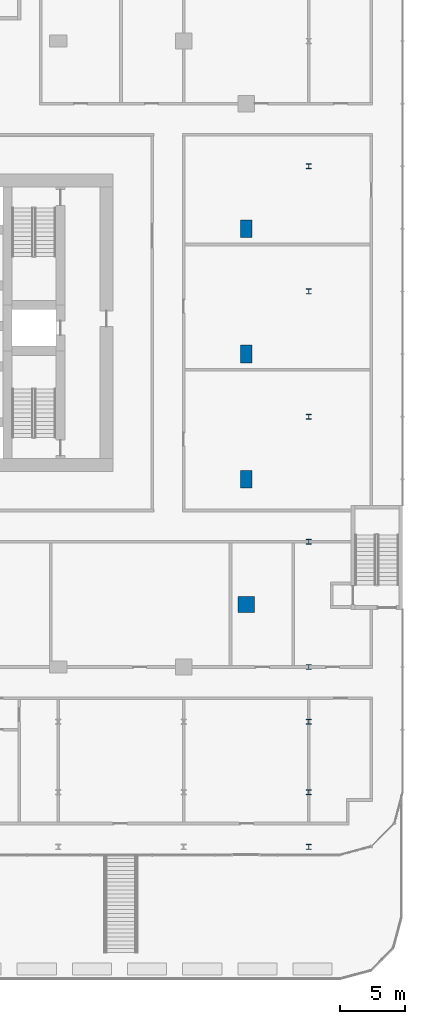
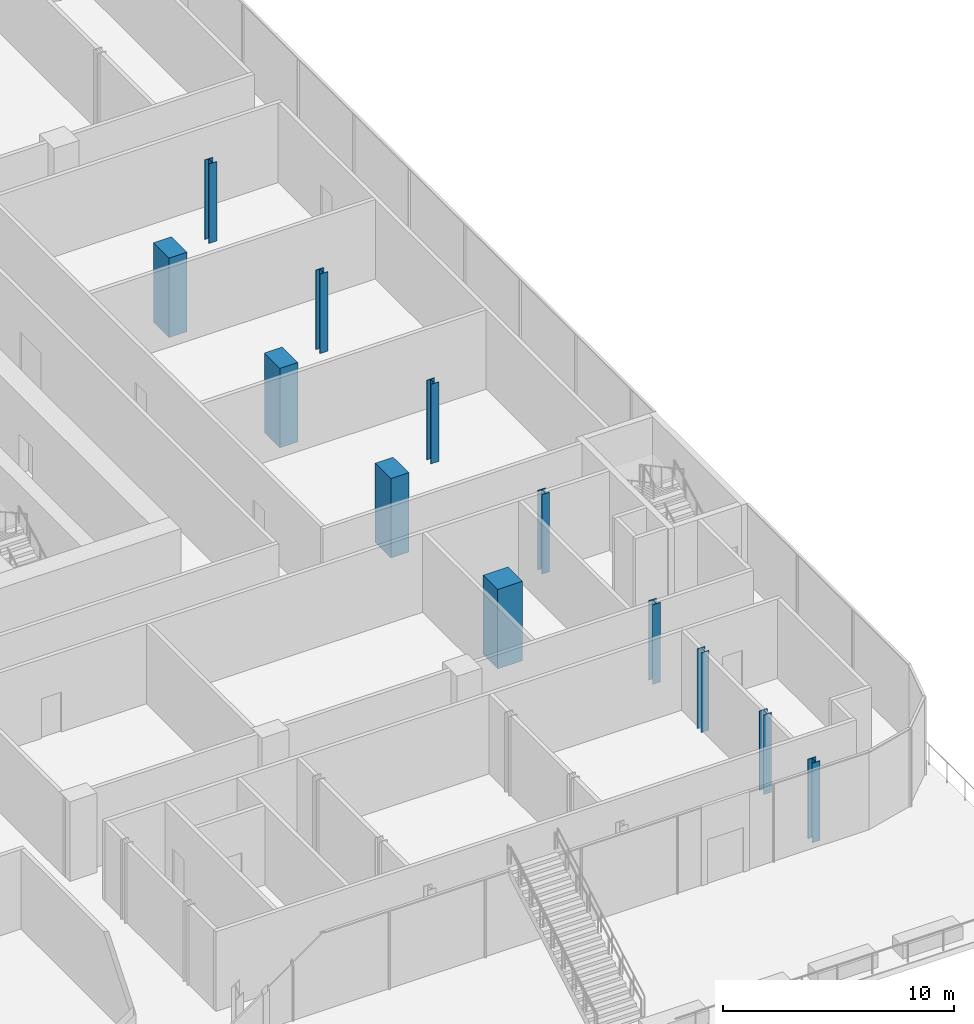
# One storey, part 3 of 38: 12 columns.
"""IFC4 building model written with IfcOpenShell, lengths in metres."""

import ifcopenshell
import ifcopenshell.guid

model = None  # the IFC model being written
_history = None  # IfcOwnerHistory: only IFC2X3 demands one
_inside = {}  # id of a spatial element -> (the spatial element, [elements in it])
_under = {}  # id of a project, library or spatial element -> (it, [spatial elements below it])
_declared = {}  # id of a project -> (the project, [libraries it declares])
_typed = {}  # id of a type object -> (the type object, [elements of that type])
_made_of = {}  # id of a material, layer set ... -> (it, [elements and type objects made of it])


def new_model(schema):
    """Start an empty IFC model of exactly this schema.

    Asked for "IFC4X3", IfcOpenShell would pick the latest addendum, in which some entities
    have other attributes; the version numbers below select the first issue.
    IFC2X3 requires an IfcOwnerHistory on every rooted entity: one is made here for all.
    """
    global model, _history
    if schema == "IFC4X3":
        model = ifcopenshell.file(schema_version=(4, 3, 0, 0))
    else:
        model = ifcopenshell.file(schema=schema)
    _inside.clear()
    _under.clear()
    _declared.clear()
    _typed.clear()
    _made_of.clear()
    _history = None
    if model.schema == "IFC2X3":
        org = make("IfcOrganization", Name="unknown")
        user = make(
            "IfcPersonAndOrganization",
            ThePerson=make("IfcPerson", FamilyName="unknown"),
            TheOrganization=org,
        )
        app = make(
            "IfcApplication",
            ApplicationDeveloper=org,
            Version="unknown",
            ApplicationFullName="unknown",
            ApplicationIdentifier="unknown",
        )
        _history = make(
            "IfcOwnerHistory",
            OwningUser=user,
            OwningApplication=app,
            ChangeAction="ADDED",
            CreationDate=0,
        )
    return model


def make(cls, **values):
    """One entity of the class cls with the attributes given. An attribute that is None is left unset."""
    return model.create_entity(
        cls, **{name: value for name, value in values.items() if value is not None}
    )


def rooted(cls, **values):
    """An entity with a GlobalId (a new one), such as an element, a storey or a relation."""
    return make(cls, GlobalId=ifcopenshell.guid.new(), OwnerHistory=_history, **values)


def si_unit(unit_type, name, prefix=None):
    """IfcSIUnit, for example si_unit("LENGTHUNIT", "METRE", prefix="MILLI")."""
    return make("IfcSIUnit", UnitType=unit_type, Prefix=prefix, Name=name)


def assignment(units):
    """IfcUnitAssignment: the units of a project."""
    return None if units is None else make("IfcUnitAssignment", Units=units)


def point(xyz):
    """IfcCartesianPoint."""
    return None if xyz is None else make("IfcCartesianPoint", Coordinates=xyz)


def direction(xyz):
    """IfcDirection."""
    return None if xyz is None else make("IfcDirection", DirectionRatios=xyz)


def frame(location, z_axis=None, x_axis=None):
    """IfcAxis2Placement3D, a coordinate frame: its origin and axes. An axis left out is left unset."""
    return make(
        "IfcAxis2Placement3D",
        Location=point(location),
        Axis=direction(z_axis),
        RefDirection=direction(x_axis),
    )


def frame_2d(location, x_axis=None):
    """IfcAxis2Placement2D, a coordinate frame in the plane: its origin and x axis."""
    return make(
        "IfcAxis2Placement2D", Location=point(location), RefDirection=direction(x_axis)
    )


def origin():
    """The frame at (0, 0, 0) with its axes left unset."""
    return frame((0.0, 0.0, 0.0))


def origin_2d():
    """The frame at (0, 0) in the plane with its x axis left unset."""
    return frame_2d((0.0, 0.0))


def place(relative_to, where):
    """IfcLocalPlacement: puts the frame where relative to a parent placement (None: the world)."""
    return make(
        "IfcLocalPlacement", PlacementRelTo=relative_to, RelativePlacement=where
    )


def context(
    kind, dimensions, precision=None, world=None, true_north=None, identifier=None
):
    """IfcGeometricRepresentationContext, for example the 3D "Model" context."""
    return make(
        "IfcGeometricRepresentationContext",
        ContextIdentifier=identifier,
        ContextType=kind,
        CoordinateSpaceDimension=dimensions,
        Precision=precision,
        WorldCoordinateSystem=world,
        TrueNorth=true_north,
    )


def subcontext(parent, identifier, kind, view, scale=None):
    """IfcGeometricRepresentationSubContext, for example "Body" below "Model"."""
    return make(
        "IfcGeometricRepresentationSubContext",
        ContextIdentifier=identifier,
        ContextType=kind,
        ParentContext=parent,
        TargetScale=scale,
        TargetView=view,
    )


def project(units=None, contexts=None):
    """IfcProject with its units and contexts."""
    return rooted(
        "IfcProject",
        Name="project",
        RepresentationContexts=contexts,
        UnitsInContext=assignment(units),
    )


def spatial(cls, under=None, at=None, **own):
    """A site, building, storey or space (cls), placed at a placement, below another one or the project."""
    s = rooted(cls, ObjectPlacement=at, **own)
    if under is not None:
        _under.setdefault(under.id(), (under, []))[1].append(s)
    return s


def profile(cls, at=None, kind="AREA", **sizes):
    """A parametric profile (cls). Its sizes go by their IFC names, for example OverallWidth=200.0."""
    return make(cls, ProfileType=kind, Position=at, **sizes)


def rectangle(**sizes):
    """IfcRectangleProfileDef."""
    return profile("IfcRectangleProfileDef", **sizes)


def i_section(**sizes):
    """IfcIShapeProfileDef."""
    return profile("IfcIShapeProfileDef", **sizes)


def extrude(swept, where, along, depth):
    """IfcExtrudedAreaSolid: the profile swept, set in the frame where, extruded along a direction by depth."""
    return make(
        "IfcExtrudedAreaSolid",
        SweptArea=swept,
        Position=where,
        ExtrudedDirection=direction(along),
        Depth=depth,
    )


def shape(context_of_items, identifier, shape_type, items):
    """IfcShapeRepresentation: the items that make up one representation, for example the "Body"."""
    return make(
        "IfcShapeRepresentation",
        ContextOfItems=context_of_items,
        RepresentationIdentifier=identifier,
        RepresentationType=shape_type,
        Items=items,
    )


def material(Name=None, Category=None):
    """IfcMaterial."""
    return make("IfcMaterial", Name=Name, Category=Category)


def material_profile(
    of_material, cross_section, Name=None, Category=None, Priority=None
):
    """IfcMaterialProfile: a cross section and its material."""
    return make(
        "IfcMaterialProfile",
        Name=Name,
        Material=of_material,
        Profile=cross_section,
        Priority=Priority,
        Category=Category,
    )


def profile_set(profiles, Name=None, composite=None):
    """IfcMaterialProfileSet."""
    return make(
        "IfcMaterialProfileSet",
        Name=Name,
        MaterialProfiles=profiles,
        CompositeProfile=composite,
    )


def made_of(thing, what):
    """Note that an element or type object is made of a material, layer set ...; save() writes the relation."""
    if what is not None:
        _made_of.setdefault(what.id(), (what, []))[1].append(thing)
    return thing


def type_object(cls, material=None, **own):
    """A type object (cls), such as IfcWallType, which elements share."""
    return made_of(rooted(cls, **own), material)


def element(
    cls,
    number,
    at=None,
    inside=None,
    cuts=None,
    type_object=None,
    material=None,
    context=None,
    identifier="Body",
    shape_type=None,
    held_by="IfcProductDefinitionShape",
    body=None,
    shapes=None,
    **own,
):
    """One element of the class cls, such as IfcWall. Its Tag is "e" and its number.

    at: its placement. inside: the storey or other place that contains it. cuts: it is an
    opening in that element (IfcRelVoidsElement). A single representation is given by context,
    identifier, shape_type and body (its items); several are given by shapes. held_by: the class
    of the entity that holds the representations. save() writes the other relations.
    """
    e = rooted(cls, Tag="e%d" % number, ObjectPlacement=at, **own)
    if body is not None:
        shapes = [shape(context, identifier, shape_type, body)]
    if shapes is not None:
        e.Representation = make(held_by, Representations=shapes)
    if inside is not None:
        _inside.setdefault(inside.id(), (inside, []))[1].append(e)
    if cuts is not None:
        rooted(
            "IfcRelVoidsElement", RelatingBuildingElement=cuts, RelatedOpeningElement=e
        )
    if type_object is not None:
        _typed.setdefault(type_object.id(), (type_object, []))[1].append(e)
    return made_of(e, material)


def aggregate(whole, parts):
    """IfcRelAggregates: a whole, such as a stair, and the parts it consists of."""
    return rooted("IfcRelAggregates", RelatingObject=whole, RelatedObjects=parts)


def save(model, path):
    """Write the relations noted so far, then the file.

    IfcRelAggregates (storeys below a building ...), IfcRelContainedInSpatialStructure (elements
    in a storey), IfcRelDefinesByType, IfcRelAssociatesMaterial and IfcRelDeclares: one each for
    every whole, place, type object, material and project.
    """
    for whole, parts in _under.values():
        aggregate(whole, parts)
    for where, things in _inside.values():
        rooted(
            "IfcRelContainedInSpatialStructure",
            RelatedElements=things,
            RelatingStructure=where,
        )
    for kind, things in _typed.values():
        rooted("IfcRelDefinesByType", RelatedObjects=things, RelatingType=kind)
    for what, things in _made_of.values():
        rooted("IfcRelAssociatesMaterial", RelatedObjects=things, RelatingMaterial=what)
    for by, libraries in _declared.values():
        rooted("IfcRelDeclares", RelatingContext=by, RelatedDefinitions=libraries)
    model.write(path)


model = new_model("IFC4")

# Units and contexts
model_context = context("Model", 3, precision=1e-05, world=origin(), true_north=direction((0.0, 1.0)))
body_context = subcontext(model_context, "Body", "Model", "MODEL_VIEW")
ifc_project = project(units=[si_unit("LENGTHUNIT", "METRE"), si_unit("AREAUNIT", "SQUARE_METRE"), si_unit("VOLUMEUNIT", "CUBIC_METRE"), si_unit("PLANEANGLEUNIT", "RADIAN"), si_unit("MASSUNIT", "GRAM", prefix="KILO")], contexts=[model_context])

# Site, building, storey
site_placement = place(None, origin())
site = spatial("IfcSite", under=ifc_project, at=site_placement, CompositionType="ELEMENT")
building_placement = place(site_placement, origin())
building = spatial("IfcBuilding", under=site, at=building_placement, Name="Madar Terraces", CompositionType="ELEMENT")
storey_placement = place(building_placement, frame((0.0, 0.0, 15.0)))
storey = spatial("IfcBuildingStorey", under=building, at=storey_placement, Name="L03", CompositionType="ELEMENT", Elevation=15.0)

# Columns
ifc_material_1 = material(Name="Concrete C80/95", Category="concrete")
ifc_material_profile_1 = material_profile(ifc_material_1, rectangle(XDim=1.35009765625, YDim=0.89990234375, at=origin_2d()), Name="CC1 RC 1350x900")
ifc_profile_set_1 = profile_set([ifc_material_profile_1], Name="Concrete C80/95")
column_type_1 = type_object("IfcColumnType", Name="CC1 RC 1350x900", PredefinedType="COLUMN", material=ifc_profile_set_1)
for number, where, z_axis, x_axis, name in (
    (1, (57.60009765625, 14.39990234375, 0.0), (0.0, 0.0, 1.0), (0.0, 1.0, 0.0), "Perimeter column E2"),
    (2, (57.60009765625, 24.0, 0.0), (0.0, 0.0, 1.0), (0.0, 1.0, 0.0), "Perimeter column E3"),
    (3, (57.60009765625, 33.60009765625, 0.0), (0.0, 0.0, 1.0), (0.0, 1.0, 0.0), "Perimeter column E4"),
):
    element("IfcColumn", number, at=place(storey_placement, frame(where, z_axis=z_axis, x_axis=x_axis)), inside=storey, type_object=column_type_1, Name=name, PredefinedType="COLUMN", context=body_context, shape_type="SweptSolid", body=[
        extrude(rectangle(XDim=1.35009765625, YDim=0.89990234375, at=origin_2d()), origin(), (0.0, 0.0, 1.0), 4.199951171875),
    ])
ifc_material_2 = material(Name="Concrete C80/95", Category="concrete")
ifc_material_profile_2 = material_profile(ifc_material_2, rectangle(XDim=1.25, YDim=1.25, at=origin_2d()), Name="KC1 RC 1250x1250")
ifc_profile_set_2 = profile_set([ifc_material_profile_2], Name="Concrete C80/95")
column_type_2 = type_object("IfcColumnType", Name="KC1 RC 1250x1250", PredefinedType="COLUMN", material=ifc_profile_set_2)
column_placement = place(storey_placement, frame((57.60009765625, 4.800048828125, 0.0), z_axis=(0.0, 0.0, 1.0), x_axis=(1.0, 0.0, 0.0)))
element("IfcColumn", 4, at=column_placement, inside=storey, type_object=column_type_2, Name="Perimeter column E1", PredefinedType="COLUMN", context=body_context, shape_type="SweptSolid", body=[
    extrude(rectangle(XDim=1.25, YDim=1.25, at=origin_2d()), origin(), (0.0, 0.0, 1.0), 4.199951171875),
])
ifc_material_3 = material(Name="Steel ASTM A992 Grade 50", Category="steel")
ifc_material_profile_3 = material_profile(ifc_material_3, i_section(OverallWidth=0.396240234375, OverallDepth=0.381103515625, WebThickness=0.01904296875, FlangeThickness=0.0302734375, at=origin_2d()), Name="W14x159")
ifc_profile_set_3 = profile_set([ifc_material_profile_3], Name="Steel ASTM A992 Grade 50")
column_type_3 = type_object("IfcColumnType", Name="PC2 W14x159", PredefinedType="COLUMN", material=ifc_profile_set_3)
for number, where, z_axis, x_axis, name in (
    (5, (62.39990234375, -13.800048828125, 0.0), (0.0, 0.0, 1.0), (1.0, 0.0, 0.0), "Podium column PC2"),
    (6, (62.39990234375, -9.60009765625, 0.0), (0.0, 0.0, 1.0), (1.0, 0.0, 0.0), "Podium column PC2"),
    (7, (62.39990234375, -4.199951171875, 0.0), (0.0, 0.0, 1.0), (1.0, 0.0, 0.0), "Podium column PC2"),
    (8, (62.39990234375, 0.0, 0.0), (0.0, 0.0, 1.0), (1.0, 0.0, 0.0), "Podium column PC2"),
    (9, (62.39990234375, 9.60009765625, 0.0), (0.0, 0.0, 1.0), (1.0, 0.0, 0.0), "Podium column PC2"),
    (10, (62.39990234375, 19.199951171875, 0.0), (0.0, 0.0, 1.0), (1.0, 0.0, 0.0), "Podium column PC2"),
    (11, (62.39990234375, 28.800048828125, 0.0), (0.0, 0.0, 1.0), (1.0, 0.0, 0.0), "Podium column PC2"),
    (12, (62.39990234375, 38.39990234375, 0.0), (0.0, 0.0, 1.0), (1.0, 0.0, 0.0), "Podium column PC2"),
):
    element("IfcColumn", number, at=place(storey_placement, frame(where, z_axis=z_axis, x_axis=x_axis)), inside=storey, type_object=column_type_3, Name=name, PredefinedType="COLUMN", context=body_context, shape_type="SweptSolid", body=[
        extrude(i_section(OverallWidth=0.396240234375, OverallDepth=0.381103515625, WebThickness=0.01904296875, FlangeThickness=0.0302734375, at=origin_2d()), origin(), (0.0, 0.0, 1.0), 4.199951171875),
    ])

save(model, "model.ifc")
